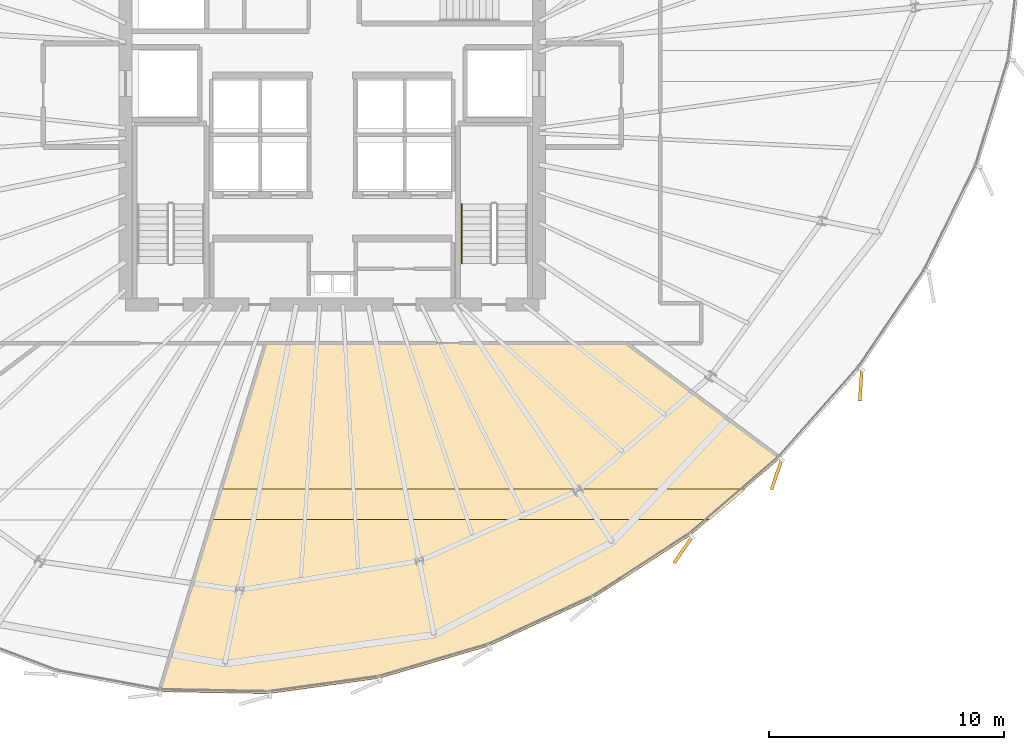
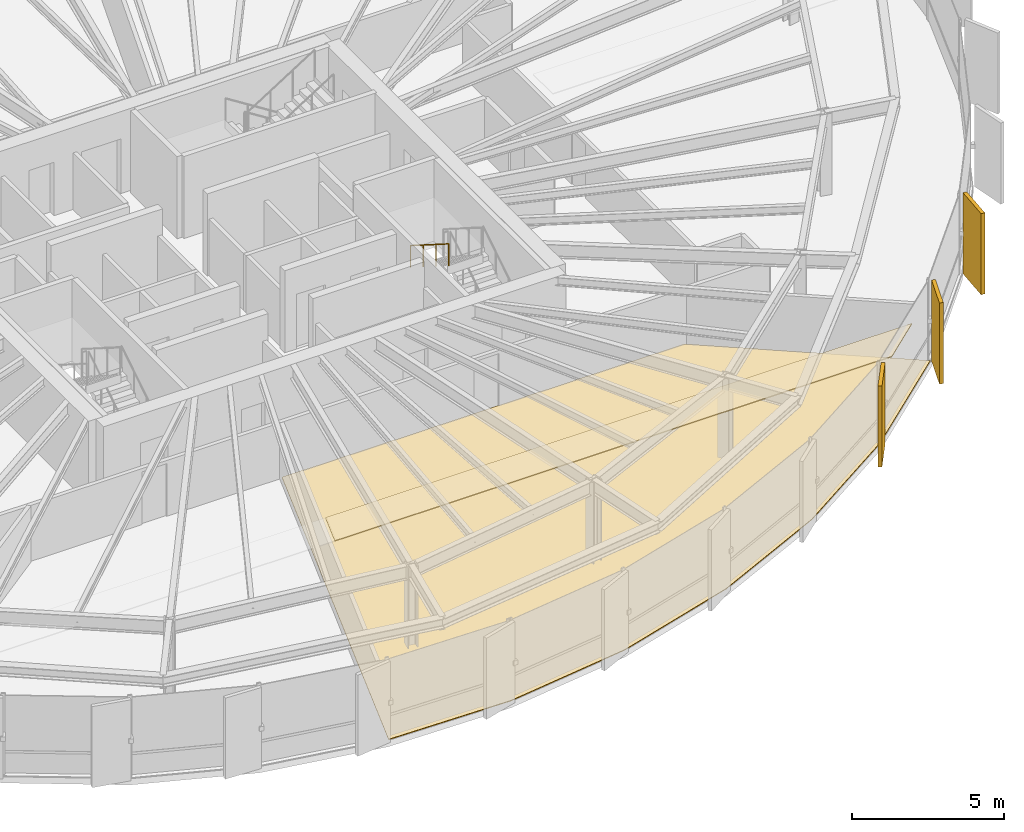
# One storey, part 34 of 36: 5 coverings, 1 railing.
"""IFC4 building model written with IfcOpenShell, lengths in metres."""

from ifc_helpers import new_model, si_unit, direction, frame, origin, origin_2d, place, context, subcontext, project, spatial, polyline, rectangle, circle, outline, extrude, source, transform, mapped, material, layer, layer_set, type_object, element, save


model = new_model("IFC4")

# Units and contexts
model_context = context("Model", 3, precision=1e-05, world=origin(), true_north=direction((0.0, 1.0)))
body_context = subcontext(model_context, "Body", "Model", "MODEL_VIEW")
ifc_project = project(units=[si_unit("LENGTHUNIT", "METRE"), si_unit("AREAUNIT", "SQUARE_METRE"), si_unit("VOLUMEUNIT", "CUBIC_METRE"), si_unit("PLANEANGLEUNIT", "RADIAN"), si_unit("MASSUNIT", "GRAM", prefix="KILO"), si_unit("THERMODYNAMICTEMPERATUREUNIT", "KELVIN")], contexts=[model_context])

# Site, building, storey
site_placement = place(None, origin())
site = spatial("IfcSite", under=ifc_project, at=site_placement, CompositionType="ELEMENT")
building_placement = place(site_placement, origin())
building = spatial("IfcBuilding", under=site, at=building_placement, Name="Kethvar Cultural Tower", CompositionType="ELEMENT")
storey_placement = place(building_placement, frame((0.0, 0.0, 150.10009765625)))
storey = spatial("IfcBuildingStorey", under=building, at=storey_placement, Name="L38", CompositionType="ELEMENT", Elevation=150.10009765625)

# Coverings
ifc_material_1 = material(Name="Acoustic Mineral Fibre Ceiling")
ifc_layer_1 = layer(ifc_material_1, 0.0400390625, Name="Acoustic Mineral Fibre Ceiling")
ifc_layer_set_1 = layer_set([ifc_layer_1], Name="Acoustic Mineral Fibre Ceiling (40 mm)")
covering_type_1 = type_object("IfcCoveringType", Name="CV-ACOUSTIC-CEIL", PredefinedType="CEILING", material=ifc_layer_set_1)
covering_1_placement = place(storey_placement, frame((0.0, 0.0, 2.77978515625)))
element("IfcCovering", 1, at=covering_1_placement, inside=storey, type_object=covering_type_1, Name="L38 Room 02 Acoustic Ceiling Panel", PredefinedType="CEILING", context=body_context, shape_type="SweptSolid", body=[
    extrude(outline(polyline([(42.0654296875, 12.25341796875), (64.388916015625, 12.25341796875), (62.86865234375, 10.943359375), (41.668212890625, 10.943359375), (42.0654296875, 12.25341796875)])), origin(), (0.0, 0.0, 1.0), 0.0400390625),
])
ifc_material_2 = material(Name="Honed Warm Limestone", Category="masonry")
ifc_layer_2 = layer(ifc_material_2, 0.030029296875, Name="Honed Warm Limestone", Category="masonry")
ifc_layer_set_2 = layer_set([ifc_layer_2], Name="Honed Warm Limestone (30 mm)")
covering_type_2 = type_object("IfcCoveringType", Name="CV-STONE-FLOOR", PredefinedType="FLOORING", material=ifc_layer_set_2)
covering_2_placement = place(storey_placement, origin())
element("IfcCovering", 2, at=covering_2_placement, inside=storey, type_object=covering_type_2, Name="L38 Room 02 Floor Finish", PredefinedType="FLOORING", context=body_context, shape_type="SweptSolid", body=[
    extrude(outline(polyline([(62.04541015625, 10.286865234375), (57.900390625, 7.6083984375), (53.45361328125, 5.5634765625), (48.80419921875, 4.194091796875), (44.094482421875, 3.5419921875), (39.49169921875, 3.626953125), (43.97998046875, 18.429931640625), (59.302001953125, 18.429931640625), (65.831298828125, 13.54931640625), (62.04541015625, 10.286865234375)])), origin(), (0.0, 0.0, 1.0), 0.02978515625),
])

# Railing
ifc_material_3 = material(Name="Steel S355J2", Category="steel")
railing_type = type_object("IfcRailingType", Name="RL-STAIR-HANDRAIL", PredefinedType="HANDRAIL", material=ifc_material_3)
railing_placement = place(storey_placement, frame((52.300048828125, 24.3701171875, 1.952392578125)))
element("IfcRailing", 3, at=railing_placement, inside=storey, type_object=railing_type, Name="L38 ST-02 stair handrail 2", PredefinedType="HANDRAIL", context=body_context, shape_type="SweptSolid", body=[
    extrude(circle(Radius=0.02392578125, at=origin_2d()), frame((0.0, 0.0, 0.8759765625), z_axis=(0.0, -0.84460694969, 0.535386869969), x_axis=(1.0, 0.0, 0.0)), (0.0, 0.0, 1.0), 2.983642578125),
    extrude(circle(Radius=0.02099609375, at=origin_2d()), origin(), (0.0, 0.0, 1.0), 0.851806640625),
    extrude(circle(Radius=0.02099609375, at=origin_2d()), frame((0.0, -0.840087890625, 0.532470703125)), (0.0, 0.0, 1.0), 0.851806640625),
    extrude(circle(Radius=0.02099609375, at=origin_2d()), frame((0.0, -1.679931640625, 1.06494140625)), (0.0, 0.0, 1.0), 0.851806640625),
    extrude(circle(Radius=0.02099609375, at=origin_2d()), frame((0.0, -2.52001953125, 1.597412109375)), (0.0, 0.0, 1.0), 0.851806640625),
])

# Coverings
ifc_material_4 = material(Name="Extruded Architectural Terracotta", Category="masonry")
ifc_layer_3 = layer(ifc_material_4, 0.135009765625, Name="Extruded Architectural Terracotta", Category="masonry")
ifc_layer_set_3 = layer_set([ifc_layer_3], Name="Extruded Architectural Terracotta (135 mm)")
covering_type_3 = type_object("IfcCoveringType", Name="Terracotta Facade Fin FIN-02", PredefinedType="CLADDING", material=ifc_layer_set_3)
shared_shape = source(origin(), body_context, "Body", "SweptSolid", [
    extrude(rectangle(XDim=1.35009765625, YDim=0.135009765625, at=origin_2d()), origin(), (0.0, 0.0, 1.0), 3.260009765625),
])
for number, where, z_axis, x_axis, name in (
    (4, (61.728271484375, 9.653076171875, 0.02001953125), (0.0, 0.0, 1.0), (-0.564822985348, -0.825212091054, 0.0), "L38 Vertical Terracotta Fin 5.5"),
    (5, (65.70458984375, 12.8583984375, 0.02001953125), (0.0, 0.0, 1.0), (-0.323422004683, -0.946254831896, 0.0), "L38 Vertical Terracotta Fin 5.6"),
    (6, (69.287109375, 16.660888671875, 0.02001953125), (0.0, 0.0, 1.0), (-0.06540312923, -0.997858923239, 0.0), "L38 Vertical Terracotta Fin 6.1"),
):
    element("IfcCovering", number, at=place(storey_placement, frame(where, z_axis=z_axis, x_axis=x_axis)), inside=storey, type_object=covering_type_3, Name=name, PredefinedType="CLADDING", context=body_context, shape_type="MappedRepresentation", body=[
        mapped(shared_shape, transform((0.0, 0.0, 0.0), scale=1.0)),
    ])

save(model, "model.ifc")
